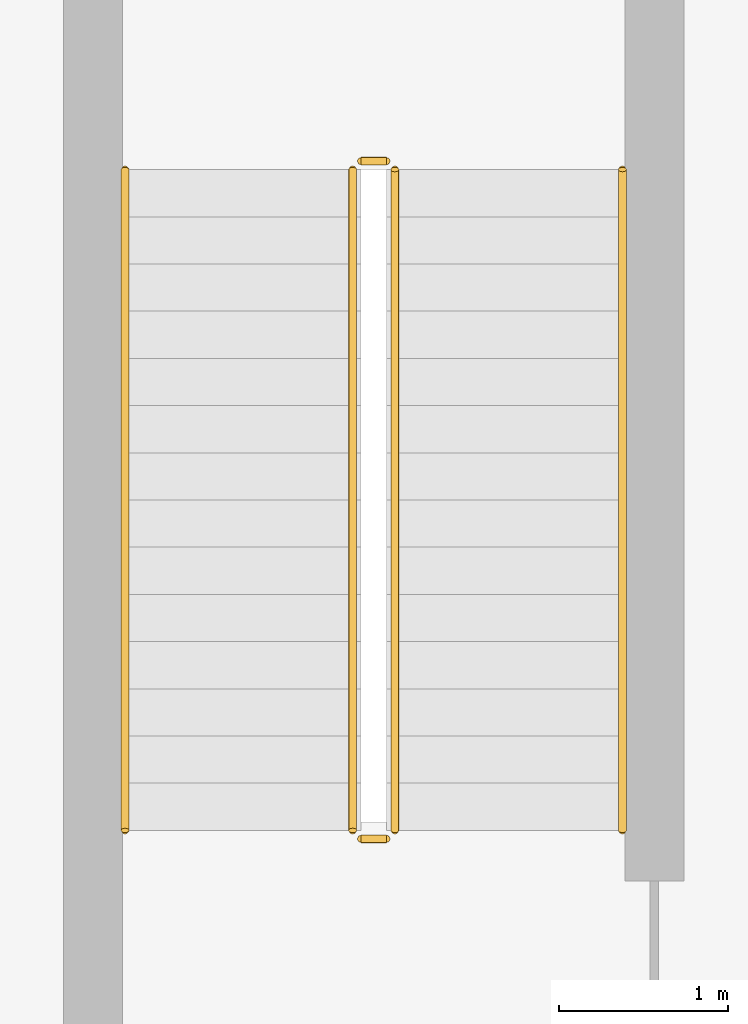
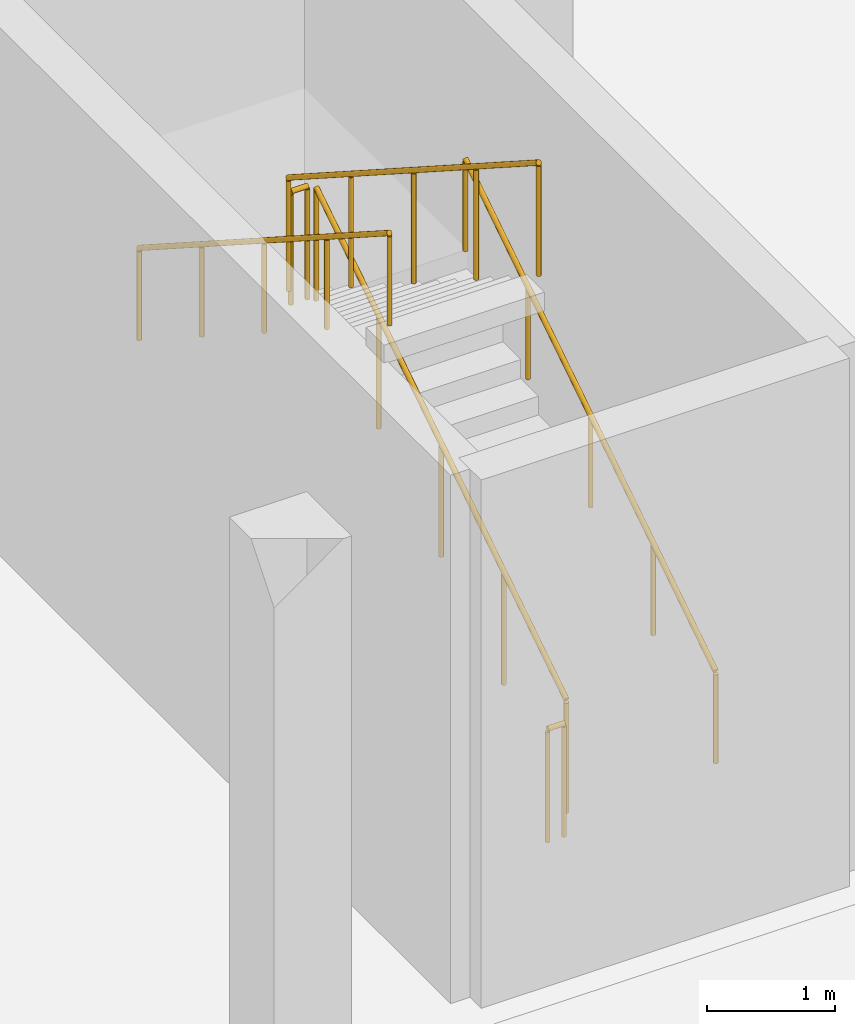
# One storey, part 147 of 147: 6 railings.
"""IFC4 building model written with IfcOpenShell, lengths in metres."""

from ifc_helpers import new_model, si_unit, direction, frame, origin, origin_2d, place, context, subcontext, project, spatial, circle, extrude, material, type_object, element, save


model = new_model("IFC4")

# Units and contexts
model_context = context("Model", 3, precision=1e-05, world=origin(), true_north=direction((0.0, 1.0)))
body_context = subcontext(model_context, "Body", "Model", "MODEL_VIEW")
ifc_project = project(units=[si_unit("LENGTHUNIT", "METRE"), si_unit("AREAUNIT", "SQUARE_METRE"), si_unit("VOLUMEUNIT", "CUBIC_METRE"), si_unit("PLANEANGLEUNIT", "RADIAN"), si_unit("MASSUNIT", "GRAM", prefix="KILO")], contexts=[model_context])

# Site, building, storey
site_placement = place(None, origin())
site = spatial("IfcSite", under=ifc_project, at=site_placement, CompositionType="ELEMENT")
building_placement = place(site_placement, origin())
building = spatial("IfcBuilding", under=site, at=building_placement, Name="Sundgate Opera House", CompositionType="ELEMENT")
storey_placement = place(building_placement, frame((0.0, 0.0, 6.0)))
storey = spatial("IfcBuildingStorey", under=building, at=storey_placement, Name="L01", CompositionType="ELEMENT", Elevation=6.0)

# Railings
ifc_material_1 = material(Name="Painted steel S275 guardrail", Category="steel")
railing_type_1 = type_object("IfcRailingType", Name="RL-STAIR-GUARD-1100", PredefinedType="GUARDRAIL", material=ifc_material_1)
railing_1_placement = place(storey_placement, frame((135.050048828125, 71.0, 0.179931640625)))
element("IfcRailing", 1, at=railing_1_placement, inside=storey, type_object=railing_type_1, Name="ST06L01 Guardrail RL0219", PredefinedType="GUARDRAIL", context=body_context, shape_type="SweptSolid", body=[
    extrude(circle(Radius=0.02392578125, at=origin_2d()), frame((0.0, 0.0, 1.076171875), z_axis=(0.0, 0.841171666519, 0.540768182723), x_axis=(-1.0, 0.0, 0.0)), (0.0, 0.0, 1.0), 4.66015625),
    extrude(circle(Radius=0.02099609375, at=origin_2d()), origin(), (0.0, 0.0, 1.0), 1.052001953125),
    extrude(circle(Radius=0.02099609375, at=origin_2d()), frame((0.0, 0.97998046875, 0.6298828125)), (0.0, 0.0, 1.0), 1.052001953125),
    extrude(circle(Radius=0.02099609375, at=origin_2d()), frame((0.0, 1.9599609375, 1.260009765625)), (0.0, 0.0, 1.0), 1.052001953125),
    extrude(circle(Radius=0.02099609375, at=origin_2d()), frame((0.0, 2.93994140625, 1.89013671875)), (0.0, 0.0, 1.0), 1.052001953125),
    extrude(circle(Radius=0.02099609375, at=origin_2d()), frame((0.0, 3.919921875, 2.52001953125)), (0.0, 0.0, 1.0), 1.052001953125),
])
railing_2_placement = place(storey_placement, frame((135.0, 74.969970703125, 2.699951171875)))
element("IfcRailing", 2, at=railing_2_placement, inside=storey, type_object=railing_type_1, Name="ST06L01 Guardrail RL0220", PredefinedType="GUARDRAIL", context=body_context, shape_type="SweptSolid", body=[
    extrude(circle(Radius=0.02392578125, at=origin_2d()), frame((0.0, 0.0, 1.076171875), z_axis=(-1.0, 0.0, 0.0), x_axis=(0.0, -1.0, 0.0)), (0.0, 0.0, 1.0), 0.14990234375),
    extrude(circle(Radius=0.02099609375, at=origin_2d()), origin(), (0.0, 0.0, 1.0), 1.052001953125),
    extrude(circle(Radius=0.02099609375, at=origin_2d()), frame((-0.14990234375, 0.0, 0.0)), (0.0, 0.0, 1.0), 1.052001953125),
])
railing_3_placement = place(storey_placement, frame((134.800048828125, 74.919921875, 2.8798828125)))
element("IfcRailing", 3, at=railing_3_placement, inside=storey, type_object=railing_type_1, Name="ST06L01 Guardrail RL0221", PredefinedType="GUARDRAIL", context=body_context, shape_type="SweptSolid", body=[
    extrude(circle(Radius=0.02392578125, at=origin_2d()), frame((0.0, 0.0, 1.076171875), z_axis=(0.0, -0.841171666519, 0.540768182723), x_axis=(1.0, 0.0, 0.0)), (0.0, 0.0, 1.0), 4.66015625),
    extrude(circle(Radius=0.02099609375, at=origin_2d()), origin(), (0.0, 0.0, 1.0), 1.052001953125),
    extrude(circle(Radius=0.02099609375, at=origin_2d()), frame((0.0, -0.97998046875, 0.6298828125)), (0.0, 0.0, 1.0), 1.052001953125),
    extrude(circle(Radius=0.02099609375, at=origin_2d()), frame((0.0, -1.9599609375, 1.260009765625)), (0.0, 0.0, 1.0), 1.052001953125),
    extrude(circle(Radius=0.02099609375, at=origin_2d()), frame((0.0, -2.93994140625, 1.89013671875)), (0.0, 0.0, 1.0), 1.052001953125),
    extrude(circle(Radius=0.02099609375, at=origin_2d()), frame((0.0, -3.919921875, 2.52001953125)), (0.0, 0.0, 1.0), 1.052001953125),
])
railing_4_placement = place(storey_placement, frame((135.0, 70.949951171875, 0.0)))
element("IfcRailing", 4, at=railing_4_placement, inside=storey, type_object=railing_type_1, Name="ST06L01 Guardrail RL0222", PredefinedType="GUARDRAIL", context=body_context, shape_type="SweptSolid", body=[
    extrude(circle(Radius=0.02392578125, at=origin_2d()), frame((0.0, 0.0, 1.076171875), z_axis=(-1.0, 0.0, 0.0), x_axis=(0.0, -1.0, 0.0)), (0.0, 0.0, 1.0), 0.14990234375),
    extrude(circle(Radius=0.02099609375, at=origin_2d()), origin(), (0.0, 0.0, 1.0), 1.052001953125),
    extrude(circle(Radius=0.02099609375, at=origin_2d()), frame((-0.14990234375, 0.0, 0.0)), (0.0, 0.0, 1.0), 1.052001953125),
])
ifc_material_2 = material(Name="Brushed stainless steel handrail", Category="steel")
railing_type_2 = type_object("IfcRailingType", Name="RL-STAIR-HAND-900", PredefinedType="HANDRAIL", material=ifc_material_2)
railing_5_placement = place(storey_placement, frame((136.39990234375, 71.0, 0.179931640625)))
element("IfcRailing", 5, at=railing_5_placement, inside=storey, type_object=railing_type_2, Name="ST06L01 Handrail RL0223", PredefinedType="HANDRAIL", context=body_context, shape_type="SweptSolid", body=[
    extrude(circle(Radius=0.02392578125, at=origin_2d()), frame((0.0, 0.0, 0.8759765625), z_axis=(0.0, 0.841171666519, 0.540768182723), x_axis=(-1.0, 0.0, 0.0)), (0.0, 0.0, 1.0), 4.66015625),
    extrude(circle(Radius=0.02099609375, at=origin_2d()), origin(), (0.0, 0.0, 1.0), 0.851806640625),
    extrude(circle(Radius=0.02099609375, at=origin_2d()), frame((0.0, 0.97998046875, 0.6298828125)), (0.0, 0.0, 1.0), 0.851806640625),
    extrude(circle(Radius=0.02099609375, at=origin_2d()), frame((0.0, 1.9599609375, 1.260009765625)), (0.0, 0.0, 1.0), 0.851806640625),
    extrude(circle(Radius=0.02099609375, at=origin_2d()), frame((0.0, 2.93994140625, 1.89013671875)), (0.0, 0.0, 1.0), 0.851806640625),
    extrude(circle(Radius=0.02099609375, at=origin_2d()), frame((0.0, 3.919921875, 2.52001953125)), (0.0, 0.0, 1.0), 0.851806640625),
])
railing_6_placement = place(storey_placement, frame((133.449951171875, 74.919921875, 2.8798828125)))
element("IfcRailing", 6, at=railing_6_placement, inside=storey, type_object=railing_type_2, Name="ST06L01 Handrail RL0224", PredefinedType="HANDRAIL", context=body_context, shape_type="SweptSolid", body=[
    extrude(circle(Radius=0.02392578125, at=origin_2d()), frame((0.0, 0.0, 0.8759765625), z_axis=(0.0, -0.841171666519, 0.540768182723), x_axis=(1.0, 0.0, 0.0)), (0.0, 0.0, 1.0), 4.66015625),
    extrude(circle(Radius=0.02099609375, at=origin_2d()), origin(), (0.0, 0.0, 1.0), 0.851806640625),
    extrude(circle(Radius=0.02099609375, at=origin_2d()), frame((0.0, -0.97998046875, 0.6298828125)), (0.0, 0.0, 1.0), 0.851806640625),
    extrude(circle(Radius=0.02099609375, at=origin_2d()), frame((0.0, -1.9599609375, 1.260009765625)), (0.0, 0.0, 1.0), 0.851806640625),
    extrude(circle(Radius=0.02099609375, at=origin_2d()), frame((0.0, -2.93994140625, 1.89013671875)), (0.0, 0.0, 1.0), 0.851806640625),
    extrude(circle(Radius=0.02099609375, at=origin_2d()), frame((0.0, -3.919921875, 2.52001953125)), (0.0, 0.0, 1.0), 0.851806640625),
])

save(model, "model.ifc")
